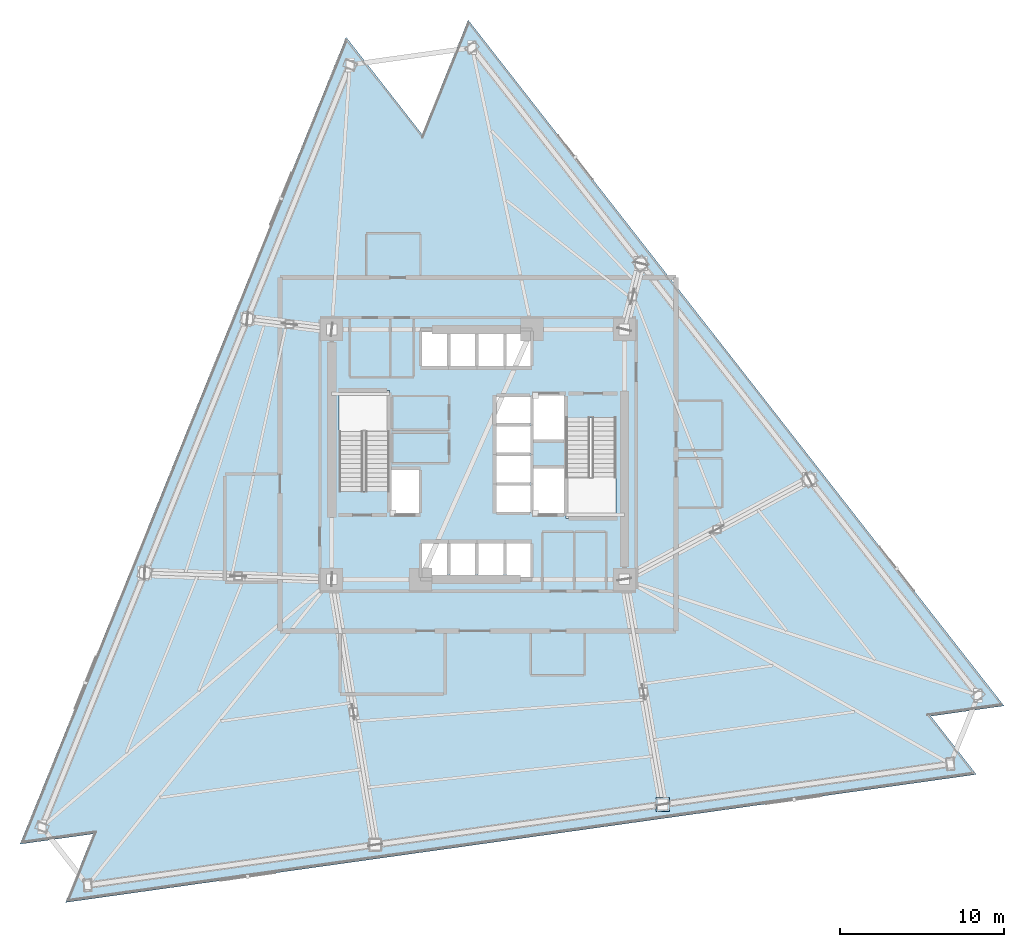
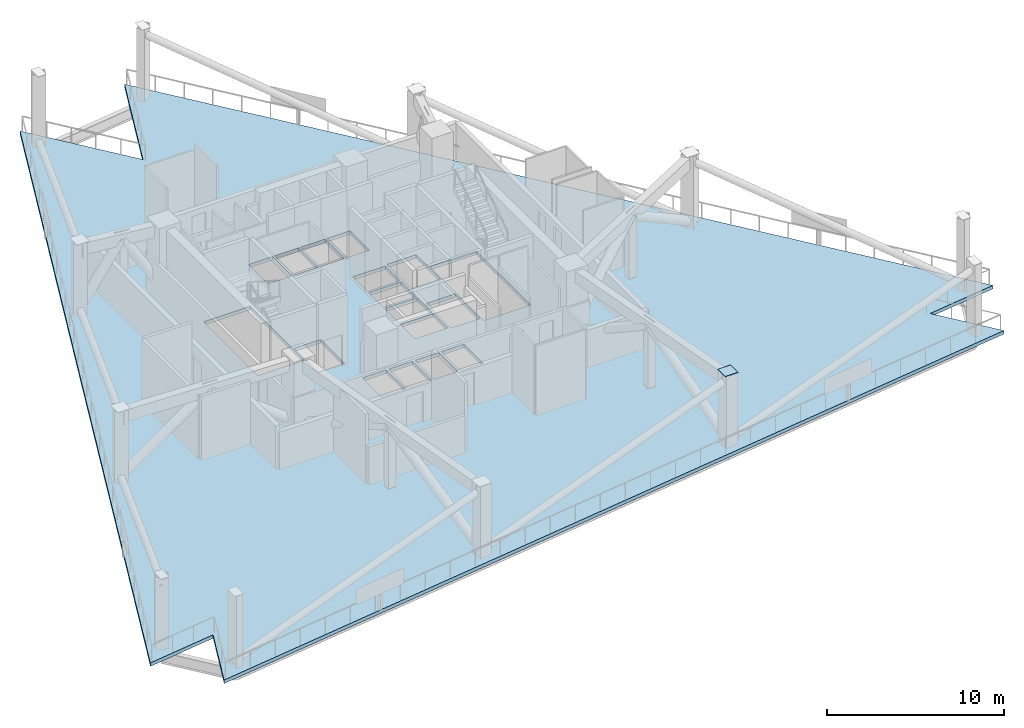
# One storey, part 4 of 13: 1 plate, 1 slab.
"""IFC4 building model written with IfcOpenShell, lengths in metres."""

from ifc_helpers import new_model, si_unit, direction, frame, origin, origin_2d, place, context, subcontext, project, spatial, polyline, rectangle, outline, extrude, material, layer, layer_set, type_object, element, save


model = new_model("IFC4")

# Units and contexts
model_context = context("Model", 3, precision=1e-05, world=origin(), true_north=direction((0.0, 1.0)))
body_context = subcontext(model_context, "Body", "Model", "MODEL_VIEW")
ifc_project = project(units=[si_unit("LENGTHUNIT", "METRE"), si_unit("AREAUNIT", "SQUARE_METRE"), si_unit("VOLUMEUNIT", "CUBIC_METRE"), si_unit("PLANEANGLEUNIT", "RADIAN"), si_unit("MASSUNIT", "GRAM", prefix="KILO")], contexts=[model_context])

# Site, building, storey
site_placement = place(None, origin())
site = spatial("IfcSite", under=ifc_project, at=site_placement, CompositionType="ELEMENT")
building_placement = place(site_placement, origin())
building = spatial("IfcBuilding", under=site, at=building_placement, Name="Tharavind Bronze Gate", CompositionType="ELEMENT")
storey_placement = place(building_placement, frame((0.0, 0.0, 81.10009765625)))
storey = spatial("IfcBuildingStorey", under=building, at=storey_placement, Name="L20", CompositionType="ELEMENT", Elevation=81.10009765625)

# Plate
ifc_material_1 = material(Name="Steel S460", Category="steel")
ifc_layer_1 = layer(ifc_material_1, 0.02490234375)
ifc_layer_set_1 = layer_set([ifc_layer_1], Name="Steel S460")
plate_type = type_object("IfcPlateType", Name="STEEL END CAP SHEET 25", PredefinedType="SHEET", material=ifc_layer_set_1)
plate_placement = place(storey_placement, frame((11.23974609375, -21.29638671875, 4.987548828125), z_axis=(0.0, 0.0, 1.0), x_axis=(1.0, 0.0, 0.0)))
element("IfcPlate", 1, at=plate_placement, inside=storey, type_object=plate_type, Name="Steel end cap plate CAP-COLT-L20-S2C3", PredefinedType="SHEET", context=body_context, shape_type="SweptSolid", body=[
    extrude(rectangle(XDim=0.844970703125, YDim=0.844970703125, at=origin_2d()), origin(), (0.0, 0.0, 1.0), 0.02490234375),
])

# Slab
ifc_material_2 = material(Name="Concrete C40/50", Category="concrete")
ifc_layer_2 = layer(ifc_material_2, 0.239990234375)
ifc_layer_set_2 = layer_set([ifc_layer_2], Name="Concrete C40/50")
slab_type = type_object("IfcSlabType", Name="STRUCTURAL FLOOR SLAB 240", PredefinedType="FLOOR", material=ifc_layer_set_2)
slab_placement = place(storey_placement, frame((0.0, 0.0, -0.239990234375)))
element("IfcSlab", 2, at=slab_placement, inside=storey, type_object=slab_type, Name="L20 main structural floor slab", PredefinedType="FLOOR", context=body_context, shape_type="SweptSolid", body=[
    extrude(outline(polyline([(-0.6015625, 26.425048828125), (-3.4111328125, 19.47119140625), (-8.028564453125, 25.381103515625), (-27.86474609375, -23.715087890625), (-23.408447265625, -23.088623046875), (-25.09423828125, -27.260986328125), (30.313232421875, -19.47412109375), (27.542724609375, -15.927978515625), (31.998779296875, -15.3017578125), (-0.6015625, 26.425048828125)]), holes=[polyline([(-5.39990234375, -2.215087890625), (-5.39990234375, 3.89990234375), (-8.449951171875, 3.89990234375), (-8.449951171875, -2.215087890625), (-5.39990234375, -2.215087890625)]), polyline([(5.35009765625, 2.215087890625), (5.35009765625, -3.89990234375), (8.39990234375, -3.89990234375), (8.39990234375, 2.215087890625), (5.35009765625, 2.215087890625)]), polyline([(-3.419921875, -7.52001953125), (-1.867431640625, -7.52001953125), (-1.867431640625, -5.3798828125), (-3.419921875, -5.3798828125), (-3.419921875, -7.52001953125)]), polyline([(-1.70751953125, -7.52001953125), (-0.155029296875, -7.52001953125), (-0.155029296875, -5.3798828125), (-1.70751953125, -5.3798828125), (-1.70751953125, -7.52001953125)]), polyline([(0.0048828125, -7.52001953125), (1.5576171875, -7.52001953125), (1.5576171875, -5.3798828125), (0.0048828125, -5.3798828125), (0.0048828125, -7.52001953125)]), polyline([(1.717529296875, -7.52001953125), (3.199951171875, -7.52001953125), (3.199951171875, -5.3798828125), (1.717529296875, -5.3798828125), (1.717529296875, -7.52001953125)]), polyline([(-3.419921875, 5.330078125), (-1.867431640625, 5.330078125), (-1.867431640625, 7.52001953125), (-3.419921875, 7.52001953125), (-3.419921875, 5.330078125)]), polyline([(-1.70751953125, 5.330078125), (-0.155029296875, 5.330078125), (-0.155029296875, 7.52001953125), (-1.70751953125, 7.52001953125), (-1.70751953125, 5.330078125)]), polyline([(0.0048828125, 5.330078125), (1.5576171875, 5.330078125), (1.5576171875, 7.52001953125), (0.0048828125, 7.52001953125), (0.0048828125, 5.330078125)]), polyline([(1.717529296875, 5.330078125), (3.199951171875, 5.330078125), (3.199951171875, 7.52001953125), (1.717529296875, 7.52001953125), (1.717529296875, 5.330078125)]), polyline([(1.080078125, -3.52001953125), (3.199951171875, -3.52001953125), (3.199951171875, -1.8798828125), (1.080078125, -1.8798828125), (1.080078125, -3.52001953125)]), polyline([(1.080078125, -1.719970703125), (3.199951171875, -1.719970703125), (3.199951171875, -0.080078125), (1.080078125, -0.080078125), (1.080078125, -1.719970703125)]), polyline([(1.080078125, 0.080078125), (3.199951171875, 0.080078125), (3.199951171875, 1.719970703125), (1.080078125, 1.719970703125), (1.080078125, 0.080078125)]), polyline([(1.080078125, 1.8798828125), (3.199951171875, 1.8798828125), (3.199951171875, 3.52001953125), (1.080078125, 3.52001953125), (1.080078125, 1.8798828125)]), polyline([(-5.320068359375, -3.6201171875), (-3.580078125, -3.6201171875), (-3.580078125, -0.929931640625), (-5.320068359375, -0.929931640625), (-5.320068359375, -3.6201171875)]), polyline([(3.360107421875, 0.8798828125), (5.27001953125, 0.8798828125), (5.27001953125, 3.6201171875), (3.360107421875, 3.6201171875), (3.360107421875, 0.8798828125)]), polyline([(3.360107421875, -3.6201171875), (5.27001953125, -3.6201171875), (5.27001953125, -0.830078125), (3.360107421875, -0.830078125), (3.360107421875, -3.6201171875)])]), origin(), (0.0, 0.0, 1.0), 0.239990234375),
])

save(model, "model.ifc")
